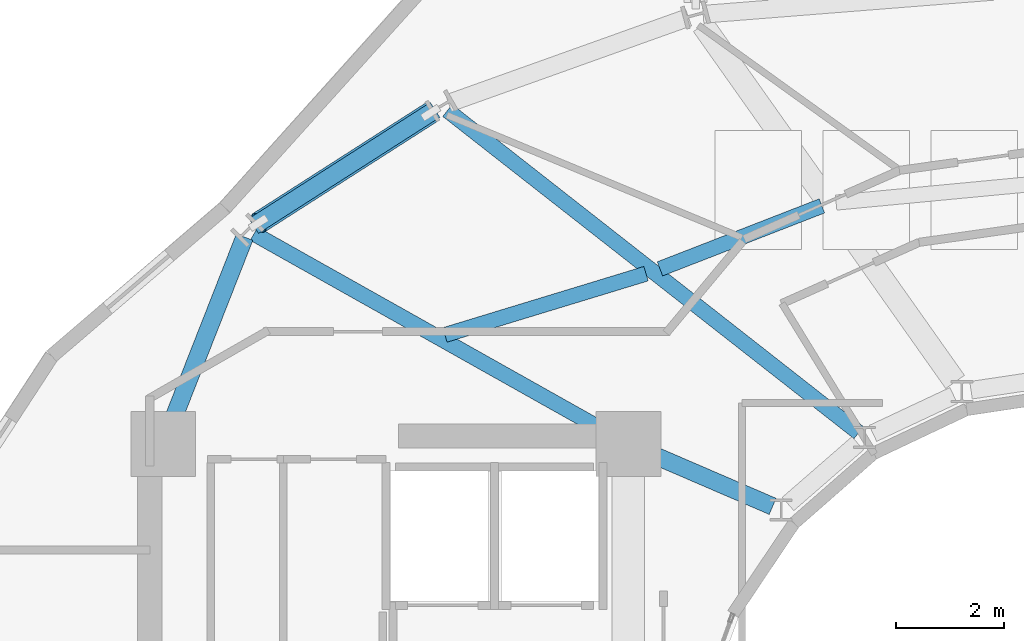
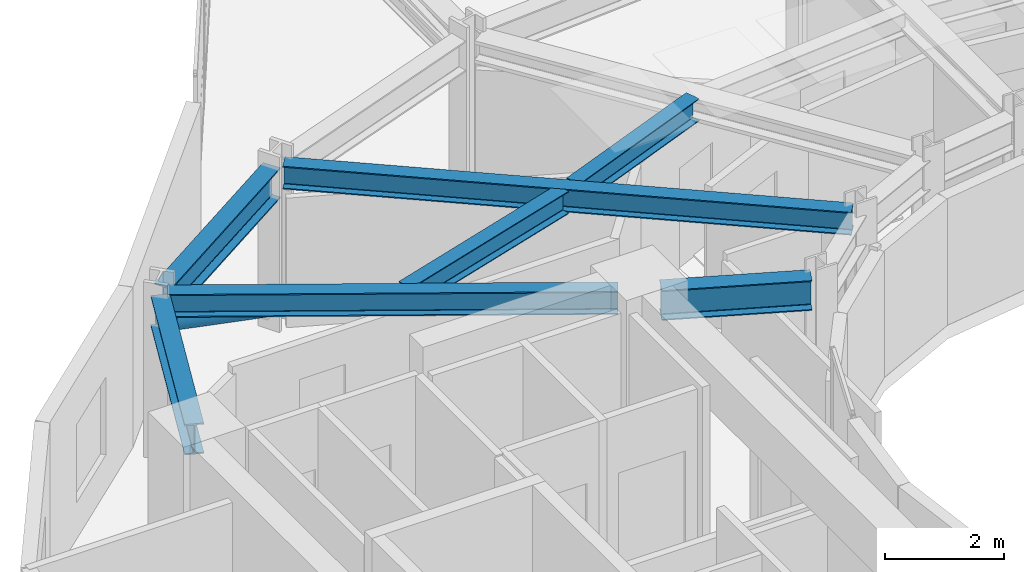
# One storey, part 8 of 24: 7 beams, 1 member.
"""IFC4 building model written with IfcOpenShell, lengths in metres."""

from ifc_helpers import new_model, si_unit, direction, frame, origin, origin_2d, place, context, subcontext, project, spatial, hollow_circle, i_section, extrude, material, material_profile, profile_set, type_object, element, save


model = new_model("IFC4")

# Units and contexts
model_context = context("Model", 3, precision=1e-05, world=origin(), true_north=direction((0.0, 1.0)))
body_context = subcontext(model_context, "Body", "Model", "MODEL_VIEW")
ifc_project = project(units=[si_unit("LENGTHUNIT", "METRE"), si_unit("AREAUNIT", "SQUARE_METRE"), si_unit("VOLUMEUNIT", "CUBIC_METRE"), si_unit("PLANEANGLEUNIT", "RADIAN"), si_unit("MASSUNIT", "GRAM", prefix="KILO")], contexts=[model_context])

# Site, building, storey
site_placement = place(None, origin())
site = spatial("IfcSite", under=ifc_project, at=site_placement, CompositionType="ELEMENT")
building_placement = place(site_placement, origin())
building = spatial("IfcBuilding", under=site, at=building_placement, Name="Solvane Sanctuary Tower", CompositionType="ELEMENT")
storey_placement = place(building_placement, frame((0.0, 0.0, 246.0)))
storey = spatial("IfcBuildingStorey", under=building, at=storey_placement, Name="L75", CompositionType="ELEMENT", Elevation=246.0)

# Beams
ifc_material = material(Name="Steel ASTM A992 Grade 50", Category="steel")
ifc_material_profile_1 = material_profile(ifc_material, i_section(OverallWidth=0.282958984375, OverallDepth=0.471923828125, WebThickness=0.013671875, FlangeThickness=0.022216796875, FilletRadius=0.013916015625, at=origin_2d()), Name="W18X97")
ifc_profile_set_1 = profile_set([ifc_material_profile_1], Name="Steel ASTM A992 Grade 50")
beam_type_1 = type_object("IfcBeamType", Name="Beam B-RAD-Z4 W18X97", PredefinedType="JOIST", material=ifc_profile_set_1)
beam_1_placement = place(storey_placement, frame((28.159912109375, 30.412841796875, 3.08203125), z_axis=(-0.787179592087, 0.616723835927, 0.0), x_axis=(-0.616723835927, -0.787179592087, 0.0)))
element("IfcBeam", 1, at=beam_1_placement, inside=storey, type_object=beam_type_1, Name="L75 Radial Composite Floor Beam 06", PredefinedType="JOIST", context=body_context, shape_type="SweptSolid", body=[
    extrude(i_section(OverallWidth=0.282958984375, OverallDepth=0.471923828125, WebThickness=0.013671875, FlangeThickness=0.022216796875, FilletRadius=0.013916015625, at=origin_2d()), origin(), (0.0, 0.0, 1.0), 9.66064453125),
])
beam_2_placement = place(storey_placement, frame((23.586181640625, 30.37646484375, 3.08203125), z_axis=(-0.87176037811, 0.489932488367, 0.0), x_axis=(-0.489932488367, -0.87176037811, 0.0)))
element("IfcBeam", 2, at=beam_2_placement, inside=storey, type_object=beam_type_1, Name="L75 Radial Composite Floor Beam 07", PredefinedType="JOIST", context=body_context, shape_type="SweptSolid", body=[
    extrude(i_section(OverallWidth=0.282958984375, OverallDepth=0.471923828125, WebThickness=0.013671875, FlangeThickness=0.022216796875, FilletRadius=0.013916015625, at=origin_2d()), origin(), (0.0, 0.0, 1.0), 7.581298828125),
])
ifc_material_profile_2 = material_profile(ifc_material, i_section(OverallWidth=0.324951171875, OverallDepth=0.615966796875, WebThickness=0.013916015625, FlangeThickness=0.021484375, FilletRadius=0.01611328125, at=origin_2d()), Name="W24X117")
ifc_profile_set_2 = profile_set([ifc_material_profile_2], Name="Steel ASTM A992 Grade 50")
beam_type_2 = type_object("IfcBeamType", Name="Beam B-RING-IN2 W24X117", PredefinedType="BEAM", material=ifc_profile_set_2)
beam_3_placement = place(storey_placement, frame((24.230712890625, 30.0576171875, 3.010009765625), z_axis=(0.918254967668, -0.395989664453, 0.0), x_axis=(0.395989664453, 0.918254967668, 0.0)))
element("IfcBeam", 3, at=beam_3_placement, inside=storey, type_object=beam_type_2, Name="L75 Inner Light-Well Ring Beam CW3-IC07", PredefinedType="BEAM", context=body_context, shape_type="SweptSolid", body=[
    extrude(i_section(OverallWidth=0.324951171875, OverallDepth=0.615966796875, WebThickness=0.013916015625, FlangeThickness=0.021484375, FilletRadius=0.01611328125, at=origin_2d()), origin(), (0.0, 0.0, 1.0), 2.54638671875),
])
ifc_material_profile_3 = material_profile(ifc_material, i_section(OverallWidth=0.280029296875, OverallDepth=0.462890625, WebThickness=0.0107421875, FlangeThickness=0.017333984375, FilletRadius=0.013916015625, at=origin_2d()), Name="W18X76")
ifc_profile_set_3 = profile_set([ifc_material_profile_3], Name="Steel ASTM A992 Grade 50")
beam_type_3 = type_object("IfcBeamType", Name="Beam B-SEC-JOIST W18X76", PredefinedType="JOIST", material=ifc_profile_set_3)
beam_4_placement = place(storey_placement, frame((20.508056640625, 32.219482421875, 3.08642578125), z_axis=(0.95661833979, 0.291344044005, 0.0), x_axis=(-0.291344044005, 0.95661833979, 0.0)))
element("IfcBeam", 4, at=beam_4_placement, inside=storey, type_object=beam_type_3, Name="L75 Secondary Circumferential Joist 07-06", PredefinedType="JOIST", context=body_context, shape_type="SweptSolid", body=[
    extrude(i_section(OverallWidth=0.280029296875, OverallDepth=0.462890625, WebThickness=0.0107421875, FlangeThickness=0.017333984375, FilletRadius=0.013916015625, at=origin_2d()), origin(), (0.0, 0.0, 1.0), 3.887451171875),
])
beam_5_placement = place(storey_placement, frame((24.484619140625, 33.44140625, 3.08642578125), z_axis=(0.93205885038, 0.362306913306, 0.0), x_axis=(-0.362306913306, 0.93205885038, 0.0)))
element("IfcBeam", 5, at=beam_5_placement, inside=storey, type_object=beam_type_3, Name="L75 Secondary Circumferential Joist 06-05", PredefinedType="JOIST", context=body_context, shape_type="SweptSolid", body=[
    extrude(i_section(OverallWidth=0.280029296875, OverallDepth=0.462890625, WebThickness=0.0107421875, FlangeThickness=0.017333984375, FilletRadius=0.013916015625, at=origin_2d()), origin(), (0.0, 0.0, 1.0), 3.212890625),
])
ifc_material_profile_4 = material_profile(ifc_material, i_section(OverallWidth=0.327880859375, OverallDepth=0.6279296875, WebThickness=0.0166015625, FlangeThickness=0.027587890625, FilletRadius=0.01611328125, at=origin_2d()), Name="W24X146")
ifc_profile_set_4 = profile_set([ifc_material_profile_4], Name="Steel ASTM A992 Grade 50")
beam_type_4 = type_object("IfcBeamType", Name="Beam B-SPAND-Z3 W24X146", PredefinedType="SPANDREL", material=ifc_profile_set_4)
beam_6_placement = place(storey_placement, frame((15.40234375, 30.460693359375, 3.00390625), z_axis=(0.365597204344, 0.930773164727, 0.0), x_axis=(-0.930773164727, 0.365597204344, 0.0)))
element("IfcBeam", 6, at=beam_6_placement, inside=storey, type_object=beam_type_4, Name="L75 Perimeter Spandrel Beam CW4-TC07", PredefinedType="SPANDREL", context=body_context, shape_type="SweptSolid", body=[
    extrude(i_section(OverallWidth=0.327880859375, OverallDepth=0.6279296875, WebThickness=0.0166015625, FlangeThickness=0.027587890625, FilletRadius=0.01611328125, at=origin_2d()), origin(), (0.0, 0.0, 1.0), 3.833740234375),
])
beam_7_placement = place(storey_placement, frame((16.972900390625, 34.23486328125, 3.00390625), z_axis=(0.842252471835, 0.539083271571, 0.0), x_axis=(-0.539083271571, 0.842252471835, 0.0)))
element("IfcBeam", 7, at=beam_7_placement, inside=storey, type_object=beam_type_4, Name="L75 Perimeter Spandrel Beam TC07-TC06", PredefinedType="SPANDREL", context=body_context, shape_type="SweptSolid", body=[
    extrude(i_section(OverallWidth=0.327880859375, OverallDepth=0.6279296875, WebThickness=0.0166015625, FlangeThickness=0.027587890625, FilletRadius=0.01611328125, at=origin_2d()), origin(), (0.0, 0.0, 1.0), 3.982177734375),
])

# Member
ifc_material_profile_5 = material_profile(ifc_material, hollow_circle(Radius=0.202880859375, WallThickness=0.012451171875, at=origin_2d()), Name="CHS406X12.5")
ifc_profile_set_5 = profile_set([ifc_material_profile_5], Name="Steel ASTM A992 Grade 50")
member_type = type_object("IfcMemberType", Name="Member M-TUBE-Z3 CHS406X12.5", PredefinedType="BRACE", material=ifc_profile_set_5)
member_placement = place(storey_placement, frame((20.241455078125, 36.326904296875, 0.510986328125), z_axis=(-0.740496381553, -0.473965461824, 0.476468099567), x_axis=(0.539092247698, -0.842246726602, 0.0)))
element("IfcMember", 8, at=member_placement, inside=storey, type_object=member_type, Name="L75 Perimeter Braced-Tube Diagonal NW", PredefinedType="BRACE", context=body_context, shape_type="SweptSolid", body=[
    extrude(hollow_circle(Radius=0.202880859375, WallThickness=0.012451171875, at=origin_2d()), origin(), (0.0, 0.0, 1.0), 4.292236328125),
])

save(model, "model.ifc")
